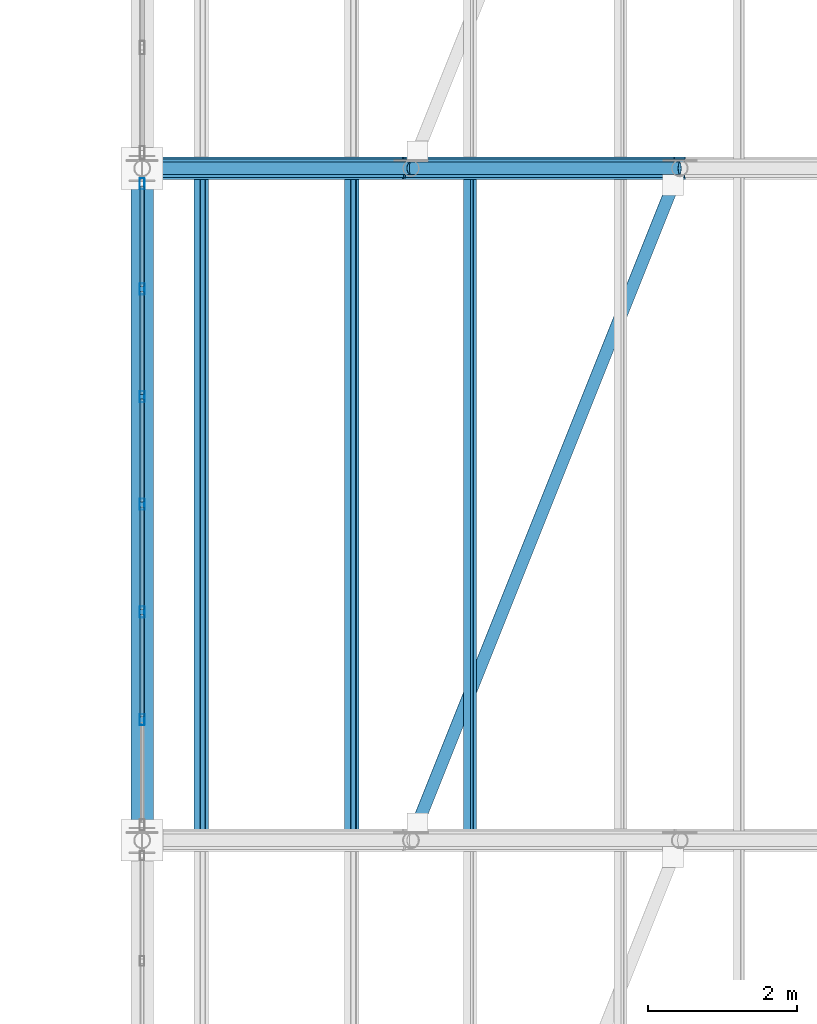
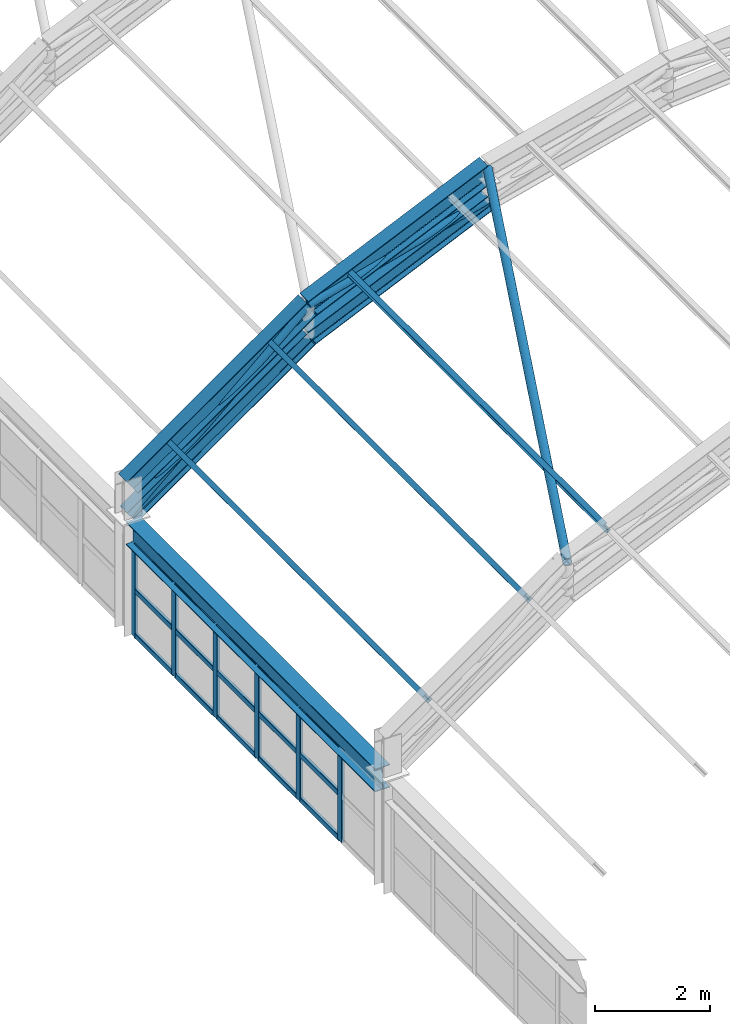
# One storey, part 45 of 121: 29 members, 3 beams, 1 element without a shape of its own.
"""IFC4 building model written with IfcOpenShell, lengths in metres."""

from ifc_helpers import new_model, si_unit, direction, frame, origin, origin_2d, place, context, subcontext, project, spatial, hollow_rectangle, hollow_circle, i_section, extrude, material, material_profile, profile_set, type_object, element, aggregate, save


model = new_model("IFC4")

# Units and contexts
model_context = context("Model", 3, precision=1e-05, world=origin(), true_north=direction((0.0, 1.0)))
body_context = subcontext(model_context, "Body", "Model", "MODEL_VIEW")
ifc_project = project(units=[si_unit("LENGTHUNIT", "METRE"), si_unit("AREAUNIT", "SQUARE_METRE"), si_unit("VOLUMEUNIT", "CUBIC_METRE"), si_unit("PLANEANGLEUNIT", "RADIAN"), si_unit("MASSUNIT", "GRAM", prefix="KILO")], contexts=[model_context])

# Site, building, storey
site_placement = place(None, origin())
site = spatial("IfcSite", under=ifc_project, at=site_placement, CompositionType="ELEMENT")
building_placement = place(site_placement, origin())
building = spatial("IfcBuilding", under=site, at=building_placement, Name="Canglan Escarpment Cableway Terminal", CompositionType="ELEMENT")
storey_placement = place(building_placement, frame((0.0, 0.0, 24.60009765625)))
storey = spatial("IfcBuildingStorey", under=building, at=storey_placement, Name="L05", CompositionType="ELEMENT", Elevation=24.60009765625)

# Beams
ifc_material_1 = material(Name="Steel Q355B", Category="steel")
ifc_material_profile_1 = material_profile(ifc_material_1, i_section(OverallWidth=0.300048828125, OverallDepth=0.389892578125, WebThickness=0.010009765625, FlangeThickness=0.01611328125, FilletRadius=0.02197265625, at=origin_2d()), Name="HM 390x300x10x16")
ifc_profile_set_1 = profile_set([ifc_material_profile_1], Name="Steel Q355B")
beam_type_1 = type_object("IfcBeamType", Name="BM-ARCH-TOP-HM390", PredefinedType="BEAM", material=ifc_profile_set_1)
beam_1_placement = place(storey_placement, frame((137.60009765625, 79.0, 3.08251953125), z_axis=(0.817731009495, 0.0, 0.575600552563), x_axis=(0.0, 1.0, 0.0)))
element("IfcBeam", 1, at=beam_1_placement, inside=storey, type_object=beam_type_1, Name="Vault ROOF TRUSS arch top chord AR-TC1", PredefinedType="BEAM", context=body_context, shape_type="SweptSolid", body=[
    extrude(i_section(OverallWidth=0.300048828125, OverallDepth=0.389892578125, WebThickness=0.010009765625, FlangeThickness=0.01611328125, FilletRadius=0.02197265625, at=origin_2d()), origin(), (0.0, 0.0, 1.0), 4.40234375),
])
beam_2_placement = place(storey_placement, frame((141.199951171875, 79.0, 5.616455078125), z_axis=(0.911752518833, 0.0, 0.410739996108), x_axis=(0.0, 1.0, 0.0)))
element("IfcBeam", 2, at=beam_2_placement, inside=storey, type_object=beam_type_1, Name="Vault ROOF TRUSS arch top chord AR-TC1", PredefinedType="BEAM", context=body_context, shape_type="SweptSolid", body=[
    extrude(i_section(OverallWidth=0.300048828125, OverallDepth=0.389892578125, WebThickness=0.010009765625, FlangeThickness=0.01611328125, FilletRadius=0.02197265625, at=origin_2d()), origin(), (0.0, 0.0, 1.0), 3.948486328125),
])
ifc_material_profile_2 = material_profile(ifc_material_1, i_section(OverallWidth=0.300048828125, OverallDepth=0.488037109375, WebThickness=0.010986328125, FlangeThickness=0.01806640625, FilletRadius=0.02587890625, at=origin_2d()), Name="HM 488x300x11x18")
ifc_profile_set_2 = profile_set([ifc_material_profile_2], Name="Steel Q355B")
beam_type_2 = type_object("IfcBeamType", Name="BM-HM488", PredefinedType="BEAM", material=ifc_profile_set_2)
beam_3_placement = place(storey_placement, frame((137.60009765625, 70.175048828125, 2.1884765625), z_axis=(0.0, 1.0, 0.0), x_axis=(-1.0, 0.0, 0.0)))
element("IfcBeam", 3, at=beam_3_placement, inside=storey, type_object=beam_type_2, Name="Vault springing ring girder B-09", PredefinedType="BEAM", context=body_context, shape_type="SweptSolid", body=[
    extrude(i_section(OverallWidth=0.300048828125, OverallDepth=0.488037109375, WebThickness=0.010986328125, FlangeThickness=0.01806640625, FilletRadius=0.02587890625, at=origin_2d()), origin(), (0.0, 0.0, 1.0), 8.64990234375),
])

# Curtain wall, members
ifc_material_2 = material(Name="Anodized bronze aluminium and Low-E double glazing", Category="aluminium")
curtain_wall_type = type_object("IfcCurtainWallType", Name="CW-BAY-8650x1950", PredefinedType="NOTDEFINED", material=ifc_material_2)
curtain_wall_placement = place(storey_placement, origin())
curtain_wall = element("IfcCurtainWall", 4, at=curtain_wall_placement, inside=storey, type_object=curtain_wall_type, Name="Classical bay-between-piers glazed curtain wall CW-66", PredefinedType="NOTDEFINED")
ifc_material_3 = material(Name="Thermally broken anodized aluminium 6063-T6", Category="aluminium")
ifc_material_profile_3 = material_profile(ifc_material_3, hollow_rectangle(XDim=0.06494140625, YDim=0.14990234375, WallThickness=0.00341796875, InnerFilletRadius=0.00341796875, OuterFilletRadius=0.007080078125, at=origin_2d()), Name="ALU-MULL 65x150x3.5")
ifc_profile_set_3 = profile_set([ifc_material_profile_3], Name="Thermally broken anodized aluminium 6063-T6")
member_type_1 = type_object("IfcMemberType", Name="CWM-02", PredefinedType="MULLION", material=ifc_profile_set_3)
member_1_placement = place(storey_placement, frame((137.60009765625, 78.79248046875, 0.0), z_axis=(0.0, 0.0, 1.0), x_axis=(1.0, 0.0, 0.0)))
member_1 = element("IfcMember", 5, at=member_1_placement, type_object=member_type_1, Name="CW-66 mullion 1", PredefinedType="MULLION", context=body_context, shape_type="SweptSolid", body=[
    extrude(hollow_rectangle(XDim=0.06494140625, YDim=0.14990234375, WallThickness=0.00341796875, InnerFilletRadius=0.00341796875, OuterFilletRadius=0.007080078125, at=origin_2d()), origin(), (0.0, 0.0, 1.0), 1.949951171875),
])
member_2_placement = place(storey_placement, frame((137.60009765625, 77.38330078125, 0.0), z_axis=(0.0, 0.0, 1.0), x_axis=(1.0, 0.0, 0.0)))
member_2 = element("IfcMember", 6, at=member_2_placement, type_object=member_type_1, Name="CW-66 mullion 2", PredefinedType="MULLION", context=body_context, shape_type="SweptSolid", body=[
    extrude(hollow_rectangle(XDim=0.06494140625, YDim=0.14990234375, WallThickness=0.00341796875, InnerFilletRadius=0.00341796875, OuterFilletRadius=0.007080078125, at=origin_2d()), origin(), (0.0, 0.0, 1.0), 1.949951171875),
])
member_3_placement = place(storey_placement, frame((137.60009765625, 75.941650390625, 0.0), z_axis=(0.0, 0.0, 1.0), x_axis=(1.0, 0.0, 0.0)))
member_3 = element("IfcMember", 7, at=member_3_placement, type_object=member_type_1, Name="CW-66 mullion 3", PredefinedType="MULLION", context=body_context, shape_type="SweptSolid", body=[
    extrude(hollow_rectangle(XDim=0.06494140625, YDim=0.14990234375, WallThickness=0.00341796875, InnerFilletRadius=0.00341796875, OuterFilletRadius=0.007080078125, at=origin_2d()), origin(), (0.0, 0.0, 1.0), 1.949951171875),
])
member_4_placement = place(storey_placement, frame((137.60009765625, 74.5, 0.0), z_axis=(0.0, 0.0, 1.0), x_axis=(1.0, 0.0, 0.0)))
member_4 = element("IfcMember", 8, at=member_4_placement, type_object=member_type_1, Name="CW-66 mullion 4", PredefinedType="MULLION", context=body_context, shape_type="SweptSolid", body=[
    extrude(hollow_rectangle(XDim=0.06494140625, YDim=0.14990234375, WallThickness=0.00341796875, InnerFilletRadius=0.00341796875, OuterFilletRadius=0.007080078125, at=origin_2d()), origin(), (0.0, 0.0, 1.0), 1.949951171875),
])
member_5_placement = place(storey_placement, frame((137.60009765625, 73.058349609375, 0.0), z_axis=(0.0, 0.0, 1.0), x_axis=(1.0, 0.0, 0.0)))
member_5 = element("IfcMember", 9, at=member_5_placement, type_object=member_type_1, Name="CW-66 mullion 5", PredefinedType="MULLION", context=body_context, shape_type="SweptSolid", body=[
    extrude(hollow_rectangle(XDim=0.06494140625, YDim=0.14990234375, WallThickness=0.00341796875, InnerFilletRadius=0.00341796875, OuterFilletRadius=0.007080078125, at=origin_2d()), origin(), (0.0, 0.0, 1.0), 1.949951171875),
])
member_6_placement = place(storey_placement, frame((137.60009765625, 71.61669921875, 0.0), z_axis=(0.0, 0.0, 1.0), x_axis=(1.0, 0.0, 0.0)))
member_6 = element("IfcMember", 10, at=member_6_placement, type_object=member_type_1, Name="CW-66 mullion 6", PredefinedType="MULLION", context=body_context, shape_type="SweptSolid", body=[
    extrude(hollow_rectangle(XDim=0.06494140625, YDim=0.14990234375, WallThickness=0.00341796875, InnerFilletRadius=0.00341796875, OuterFilletRadius=0.007080078125, at=origin_2d()), origin(), (0.0, 0.0, 1.0), 1.949951171875),
])
ifc_material_profile_4 = material_profile(ifc_material_3, hollow_rectangle(XDim=0.06005859375, YDim=0.110107421875, WallThickness=0.0029296875, InnerFilletRadius=0.0029296875, OuterFilletRadius=0.006103515625, at=origin_2d()), Name="ALU-TRAN 60x110x3")
ifc_profile_set_4 = profile_set([ifc_material_profile_4], Name="Thermally broken anodized aluminium 6063-T6")
member_type_2 = type_object("IfcMemberType", Name="CWT-02", PredefinedType="USERDEFINED", material=ifc_profile_set_4)
member_7_placement = place(storey_placement, frame((137.60009765625, 78.760009765625, 0.02978515625), z_axis=(0.0, -1.0, 0.0), x_axis=(1.0, 0.0, 0.0)))
member_7 = element("IfcMember", 11, at=member_7_placement, type_object=member_type_2, Name="CW-66 transom 1.1", ObjectType="TRANSOM", PredefinedType="USERDEFINED", context=body_context, shape_type="SweptSolid", body=[
    extrude(hollow_rectangle(XDim=0.06005859375, YDim=0.110107421875, WallThickness=0.0029296875, InnerFilletRadius=0.0029296875, OuterFilletRadius=0.006103515625, at=origin_2d()), origin(), (0.0, 0.0, 1.0), 1.34423828125),
])
member_8_placement = place(storey_placement, frame((137.60009765625, 78.760009765625, 0.974853515625), z_axis=(0.0, -1.0, 0.0), x_axis=(1.0, 0.0, 0.0)))
member_8 = element("IfcMember", 12, at=member_8_placement, type_object=member_type_2, Name="CW-66 transom 1.2", ObjectType="TRANSOM", PredefinedType="USERDEFINED", context=body_context, shape_type="SweptSolid", body=[
    extrude(hollow_rectangle(XDim=0.06005859375, YDim=0.110107421875, WallThickness=0.0029296875, InnerFilletRadius=0.0029296875, OuterFilletRadius=0.006103515625, at=origin_2d()), origin(), (0.0, 0.0, 1.0), 1.34423828125),
])
member_9_placement = place(storey_placement, frame((137.60009765625, 78.760009765625, 1.919921875), z_axis=(0.0, -1.0, 0.0), x_axis=(1.0, 0.0, 0.0)))
member_9 = element("IfcMember", 13, at=member_9_placement, type_object=member_type_2, Name="CW-66 transom 1.3", ObjectType="TRANSOM", PredefinedType="USERDEFINED", context=body_context, shape_type="SweptSolid", body=[
    extrude(hollow_rectangle(XDim=0.06005859375, YDim=0.110107421875, WallThickness=0.0029296875, InnerFilletRadius=0.0029296875, OuterFilletRadius=0.006103515625, at=origin_2d()), origin(), (0.0, 0.0, 1.0), 1.34423828125),
])
member_10_placement = place(storey_placement, frame((137.60009765625, 77.350830078125, 0.02978515625), z_axis=(0.0, -1.0, 0.0), x_axis=(1.0, 0.0, 0.0)))
member_10 = element("IfcMember", 14, at=member_10_placement, type_object=member_type_2, Name="CW-66 transom 2.1", ObjectType="TRANSOM", PredefinedType="USERDEFINED", context=body_context, shape_type="SweptSolid", body=[
    extrude(hollow_rectangle(XDim=0.06005859375, YDim=0.110107421875, WallThickness=0.0029296875, InnerFilletRadius=0.0029296875, OuterFilletRadius=0.006103515625, at=origin_2d()), origin(), (0.0, 0.0, 1.0), 1.376708984375),
])
member_11_placement = place(storey_placement, frame((137.60009765625, 77.350830078125, 0.974853515625), z_axis=(0.0, -1.0, 0.0), x_axis=(1.0, 0.0, 0.0)))
member_11 = element("IfcMember", 15, at=member_11_placement, type_object=member_type_2, Name="CW-66 transom 2.2", ObjectType="TRANSOM", PredefinedType="USERDEFINED", context=body_context, shape_type="SweptSolid", body=[
    extrude(hollow_rectangle(XDim=0.06005859375, YDim=0.110107421875, WallThickness=0.0029296875, InnerFilletRadius=0.0029296875, OuterFilletRadius=0.006103515625, at=origin_2d()), origin(), (0.0, 0.0, 1.0), 1.376708984375),
])
member_12_placement = place(storey_placement, frame((137.60009765625, 77.350830078125, 1.919921875), z_axis=(0.0, -1.0, 0.0), x_axis=(1.0, 0.0, 0.0)))
member_12 = element("IfcMember", 16, at=member_12_placement, type_object=member_type_2, Name="CW-66 transom 2.3", ObjectType="TRANSOM", PredefinedType="USERDEFINED", context=body_context, shape_type="SweptSolid", body=[
    extrude(hollow_rectangle(XDim=0.06005859375, YDim=0.110107421875, WallThickness=0.0029296875, InnerFilletRadius=0.0029296875, OuterFilletRadius=0.006103515625, at=origin_2d()), origin(), (0.0, 0.0, 1.0), 1.376708984375),
])
member_13_placement = place(storey_placement, frame((137.60009765625, 75.9091796875, 0.02978515625), z_axis=(0.0, -1.0, 0.0), x_axis=(1.0, 0.0, 0.0)))
member_13 = element("IfcMember", 17, at=member_13_placement, type_object=member_type_2, Name="CW-66 transom 3.1", ObjectType="TRANSOM", PredefinedType="USERDEFINED", context=body_context, shape_type="SweptSolid", body=[
    extrude(hollow_rectangle(XDim=0.06005859375, YDim=0.110107421875, WallThickness=0.0029296875, InnerFilletRadius=0.0029296875, OuterFilletRadius=0.006103515625, at=origin_2d()), origin(), (0.0, 0.0, 1.0), 1.376708984375),
])
member_14_placement = place(storey_placement, frame((137.60009765625, 75.9091796875, 0.974853515625), z_axis=(0.0, -1.0, 0.0), x_axis=(1.0, 0.0, 0.0)))
member_14 = element("IfcMember", 18, at=member_14_placement, type_object=member_type_2, Name="CW-66 transom 3.2", ObjectType="TRANSOM", PredefinedType="USERDEFINED", context=body_context, shape_type="SweptSolid", body=[
    extrude(hollow_rectangle(XDim=0.06005859375, YDim=0.110107421875, WallThickness=0.0029296875, InnerFilletRadius=0.0029296875, OuterFilletRadius=0.006103515625, at=origin_2d()), origin(), (0.0, 0.0, 1.0), 1.376708984375),
])
member_15_placement = place(storey_placement, frame((137.60009765625, 75.9091796875, 1.919921875), z_axis=(0.0, -1.0, 0.0), x_axis=(1.0, 0.0, 0.0)))
member_15 = element("IfcMember", 19, at=member_15_placement, type_object=member_type_2, Name="CW-66 transom 3.3", ObjectType="TRANSOM", PredefinedType="USERDEFINED", context=body_context, shape_type="SweptSolid", body=[
    extrude(hollow_rectangle(XDim=0.06005859375, YDim=0.110107421875, WallThickness=0.0029296875, InnerFilletRadius=0.0029296875, OuterFilletRadius=0.006103515625, at=origin_2d()), origin(), (0.0, 0.0, 1.0), 1.376708984375),
])
member_16_placement = place(storey_placement, frame((137.60009765625, 74.467529296875, 0.02978515625), z_axis=(0.0, -1.0, 0.0), x_axis=(1.0, 0.0, 0.0)))
member_16 = element("IfcMember", 20, at=member_16_placement, type_object=member_type_2, Name="CW-66 transom 4.1", ObjectType="TRANSOM", PredefinedType="USERDEFINED", context=body_context, shape_type="SweptSolid", body=[
    extrude(hollow_rectangle(XDim=0.06005859375, YDim=0.110107421875, WallThickness=0.0029296875, InnerFilletRadius=0.0029296875, OuterFilletRadius=0.006103515625, at=origin_2d()), origin(), (0.0, 0.0, 1.0), 1.376708984375),
])
member_17_placement = place(storey_placement, frame((137.60009765625, 74.467529296875, 0.974853515625), z_axis=(0.0, -1.0, 0.0), x_axis=(1.0, 0.0, 0.0)))
member_17 = element("IfcMember", 21, at=member_17_placement, type_object=member_type_2, Name="CW-66 transom 4.2", ObjectType="TRANSOM", PredefinedType="USERDEFINED", context=body_context, shape_type="SweptSolid", body=[
    extrude(hollow_rectangle(XDim=0.06005859375, YDim=0.110107421875, WallThickness=0.0029296875, InnerFilletRadius=0.0029296875, OuterFilletRadius=0.006103515625, at=origin_2d()), origin(), (0.0, 0.0, 1.0), 1.376708984375),
])
member_18_placement = place(storey_placement, frame((137.60009765625, 74.467529296875, 1.919921875), z_axis=(0.0, -1.0, 0.0), x_axis=(1.0, 0.0, 0.0)))
member_18 = element("IfcMember", 22, at=member_18_placement, type_object=member_type_2, Name="CW-66 transom 4.3", ObjectType="TRANSOM", PredefinedType="USERDEFINED", context=body_context, shape_type="SweptSolid", body=[
    extrude(hollow_rectangle(XDim=0.06005859375, YDim=0.110107421875, WallThickness=0.0029296875, InnerFilletRadius=0.0029296875, OuterFilletRadius=0.006103515625, at=origin_2d()), origin(), (0.0, 0.0, 1.0), 1.376708984375),
])
member_19_placement = place(storey_placement, frame((137.60009765625, 73.02587890625, 0.02978515625), z_axis=(0.0, -1.0, 0.0), x_axis=(1.0, 0.0, 0.0)))
member_19 = element("IfcMember", 23, at=member_19_placement, type_object=member_type_2, Name="CW-66 transom 5.1", ObjectType="TRANSOM", PredefinedType="USERDEFINED", context=body_context, shape_type="SweptSolid", body=[
    extrude(hollow_rectangle(XDim=0.06005859375, YDim=0.110107421875, WallThickness=0.0029296875, InnerFilletRadius=0.0029296875, OuterFilletRadius=0.006103515625, at=origin_2d()), origin(), (0.0, 0.0, 1.0), 1.376708984375),
])
member_20_placement = place(storey_placement, frame((137.60009765625, 73.02587890625, 0.974853515625), z_axis=(0.0, -1.0, 0.0), x_axis=(1.0, 0.0, 0.0)))
member_20 = element("IfcMember", 24, at=member_20_placement, type_object=member_type_2, Name="CW-66 transom 5.2", ObjectType="TRANSOM", PredefinedType="USERDEFINED", context=body_context, shape_type="SweptSolid", body=[
    extrude(hollow_rectangle(XDim=0.06005859375, YDim=0.110107421875, WallThickness=0.0029296875, InnerFilletRadius=0.0029296875, OuterFilletRadius=0.006103515625, at=origin_2d()), origin(), (0.0, 0.0, 1.0), 1.376708984375),
])
member_21_placement = place(storey_placement, frame((137.60009765625, 73.02587890625, 1.919921875), z_axis=(0.0, -1.0, 0.0), x_axis=(1.0, 0.0, 0.0)))
member_21 = element("IfcMember", 25, at=member_21_placement, type_object=member_type_2, Name="CW-66 transom 5.3", ObjectType="TRANSOM", PredefinedType="USERDEFINED", context=body_context, shape_type="SweptSolid", body=[
    extrude(hollow_rectangle(XDim=0.06005859375, YDim=0.110107421875, WallThickness=0.0029296875, InnerFilletRadius=0.0029296875, OuterFilletRadius=0.006103515625, at=origin_2d()), origin(), (0.0, 0.0, 1.0), 1.376708984375),
])
aggregate(curtain_wall, [member_1, member_2, member_3, member_4, member_5, member_6, member_7, member_8, member_9, member_10, member_11, member_12, member_13, member_14, member_15, member_16, member_17, member_18, member_19, member_20, member_21])

# Members
ifc_material_profile_5 = material_profile(ifc_material_1, i_section(OverallWidth=0.25, OverallDepth=0.340087890625, WebThickness=0.009033203125, FlangeThickness=0.013916015625, FilletRadius=0.02001953125, at=origin_2d()), Name="HM 340x250x9x14")
ifc_profile_set_5 = profile_set([ifc_material_profile_5], Name="Steel Q355B")
member_type_3 = type_object("IfcMemberType", Name="MB-ARCH-BOT-HM340", PredefinedType="CHORD", material=ifc_profile_set_5)
member_22_placement = place(storey_placement, frame((137.60009765625, 79.0, 2.432373046875), z_axis=(0.81770490607, 0.0, 0.575637634792), x_axis=(0.0, 1.0, 0.0)))
element("IfcMember", 26, at=member_22_placement, inside=storey, type_object=member_type_3, Name="Vault ROOF TRUSS arch bottom chord AR-BC1", PredefinedType="CHORD", context=body_context, shape_type="SweptSolid", body=[
    extrude(i_section(OverallWidth=0.25, OverallDepth=0.340087890625, WebThickness=0.009033203125, FlangeThickness=0.013916015625, FilletRadius=0.02001953125, at=origin_2d()), origin(), (0.0, 0.0, 1.0), 4.40234375),
])
member_23_placement = place(storey_placement, frame((141.199951171875, 79.0, 4.966552734375), z_axis=(0.911752518833, 0.0, 0.410739996108), x_axis=(0.0, 1.0, 0.0)))
element("IfcMember", 27, at=member_23_placement, inside=storey, type_object=member_type_3, Name="Vault ROOF TRUSS arch bottom chord AR-BC1", PredefinedType="CHORD", context=body_context, shape_type="SweptSolid", body=[
    extrude(i_section(OverallWidth=0.25, OverallDepth=0.340087890625, WebThickness=0.009033203125, FlangeThickness=0.013916015625, FilletRadius=0.02001953125, at=origin_2d()), origin(), (0.0, 0.0, 1.0), 3.948486328125),
])
ifc_material_profile_6 = material_profile(ifc_material_1, hollow_circle(Radius=0.084228515625, WallThickness=0.006103515625, at=origin_2d()), Name="CHS 168.3x6")
ifc_profile_set_6 = profile_set([ifc_material_profile_6], Name="Steel Q355B")
member_type_4 = type_object("IfcMemberType", Name="MB-ARCH-DIAG-CHS168", PredefinedType="BRACE", material=ifc_profile_set_6)
member_24_placement = place(storey_placement, frame((137.60009765625, 79.0, 2.432373046875), z_axis=(0.749038254518, 0.0, 0.662526749096), x_axis=(0.0, 1.0, 0.0)))
element("IfcMember", 28, at=member_24_placement, inside=storey, type_object=member_type_4, Name="Vault ROOF TRUSS web diagonal AR-DG1", PredefinedType="BRACE", context=body_context, shape_type="SweptSolid", body=[
    extrude(hollow_circle(Radius=0.084228515625, WallThickness=0.006103515625, at=origin_2d()), origin(), (0.0, 0.0, 1.0), 4.805908203125),
])
member_25_placement = place(storey_placement, frame((141.199951171875, 79.0, 5.616455078125), z_axis=(0.96543600217, 0.0, 0.260640222748), x_axis=(0.0, 1.0, 0.0)))
element("IfcMember", 29, at=member_25_placement, inside=storey, type_object=member_type_4, Name="Vault ROOF TRUSS web diagonal AR-DG1", PredefinedType="BRACE", context=body_context, shape_type="SweptSolid", body=[
    extrude(hollow_circle(Radius=0.084228515625, WallThickness=0.006103515625, at=origin_2d()), origin(), (0.0, 0.0, 1.0), 3.72900390625),
])
ifc_material_profile_7 = material_profile(ifc_material_1, hollow_circle(Radius=0.084228515625, WallThickness=0.006103515625, at=origin_2d()), Name="CHS 168.3x6")
ifc_profile_set_7 = profile_set([ifc_material_profile_7], Name="Steel Q355B")
member_type_5 = type_object("IfcMemberType", Name="MB-ROOF-BR-CHS168", PredefinedType="BRACE", material=ifc_profile_set_7)
member_26_placement = place(storey_placement, frame((141.199951171875, 70.0, 5.616455078125), z_axis=(0.366307573698, 0.915744093096, 0.165019748547), x_axis=(-0.928473216852, 0.37139936132, 0.0)))
element("IfcMember", 30, at=member_26_placement, inside=storey, type_object=member_type_5, Name="Vault roof plane wind brace BR-03", PredefinedType="BRACE", context=body_context, shape_type="SweptSolid", body=[
    extrude(hollow_circle(Radius=0.084228515625, WallThickness=0.006103515625, at=origin_2d()), origin(), (0.0, 0.0, 1.0), 9.828125),
])
ifc_material_profile_8 = material_profile(ifc_material_1, i_section(OverallWidth=0.10009765625, OverallDepth=0.199951171875, WebThickness=0.005615234375, FlangeThickness=0.008056640625, FilletRadius=0.010986328125, at=origin_2d()), Name="HN 200x100x5.5x8")
ifc_profile_set_8 = profile_set([ifc_material_profile_8], Name="Steel Q355B")
member_type_6 = type_object("IfcMemberType", Name="MB-VAULT-PUR-HN200", PredefinedType="PURLIN", material=ifc_profile_set_8)
for number, where, z_axis, x_axis, name in (
    (31, (138.39208984375, 70.0, 3.712890625), (0.0, 1.0, 0.0), (-0.817727996784, 0.0, -0.575604832568), "Barrel-vault roof purlin PR-01"),
    (32, (140.407958984375, 70.0, 5.1318359375), (0.0, 1.0, 0.0), (-0.817727996784, 0.0, -0.575604832568), "Barrel-vault roof purlin PR-01"),
    (33, (141.991943359375, 70.0, 6.059814453125), (0.0, 1.0, 0.0), (-0.911740537138, 0.0, -0.410766591799), "Barrel-vault roof purlin PR-01"),
):
    element("IfcMember", number, at=place(storey_placement, frame(where, z_axis=z_axis, x_axis=x_axis)), inside=storey, type_object=member_type_6, Name=name, PredefinedType="PURLIN", context=body_context, shape_type="SweptSolid", body=[
        extrude(i_section(OverallWidth=0.10009765625, OverallDepth=0.199951171875, WebThickness=0.005615234375, FlangeThickness=0.008056640625, FilletRadius=0.010986328125, at=origin_2d()), origin(), (0.0, 0.0, 1.0), 9.0),
    ])

save(model, "model.ifc")
